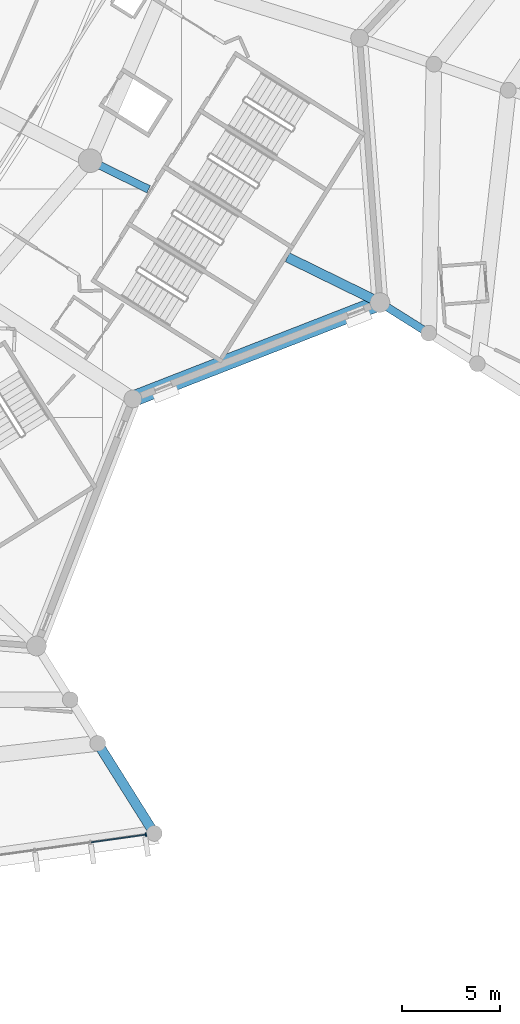
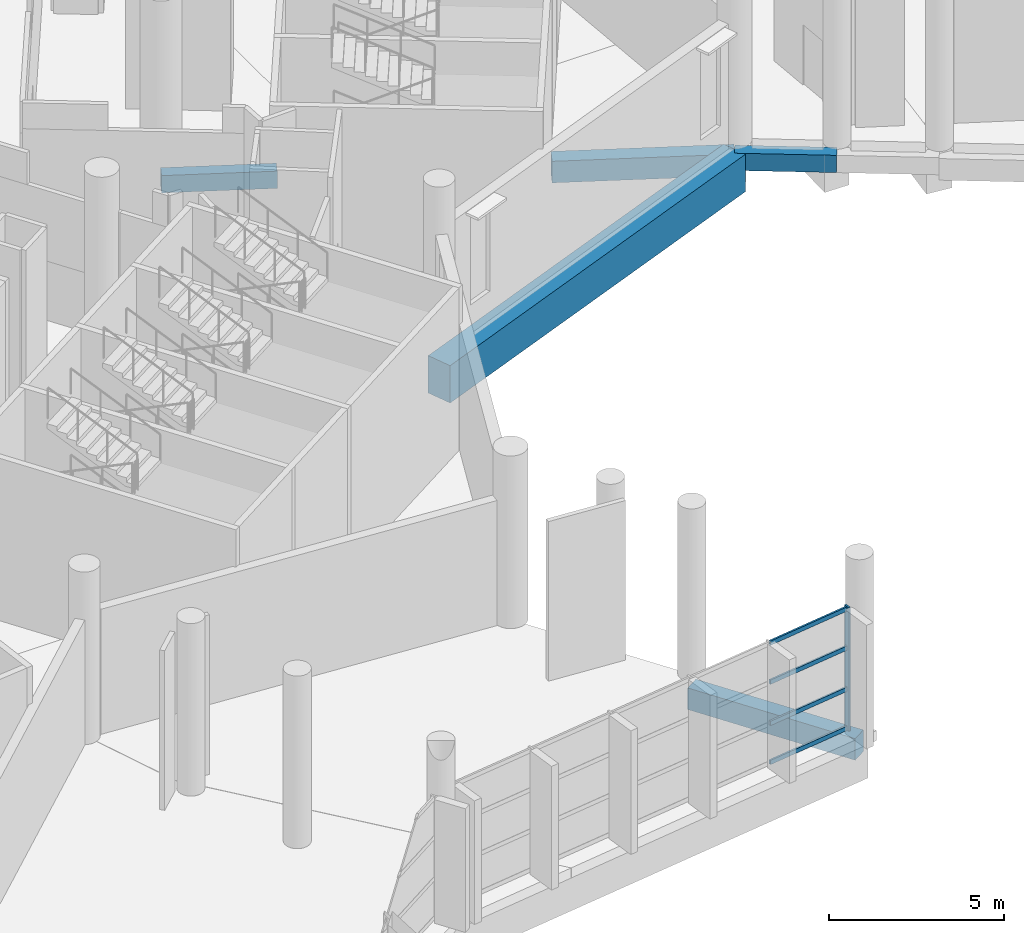
# One storey, part 38 of 249: 5 beams, 5 members, 1 element without a shape of its own.
"""IFC4 building model written with IfcOpenShell, lengths in metres."""

from ifc_helpers import new_model, si_unit, direction, frame, origin, origin_2d, place, context, subcontext, project, spatial, rectangle, extrude, material, layer, layer_set, material_profile, profile_set, type_object, element, aggregate, save


model = new_model("IFC4")

# Units and contexts
model_context = context("Model", 3, precision=1e-05, world=origin(), true_north=direction((0.0, 1.0)))
body_context = subcontext(model_context, "Body", "Model", "MODEL_VIEW")
ifc_project = project(units=[si_unit("LENGTHUNIT", "METRE"), si_unit("AREAUNIT", "SQUARE_METRE"), si_unit("VOLUMEUNIT", "CUBIC_METRE"), si_unit("PLANEANGLEUNIT", "RADIAN"), si_unit("MASSUNIT", "GRAM", prefix="KILO")], contexts=[model_context])

# Site, building, storey
site_placement = place(None, origin())
site = spatial("IfcSite", under=ifc_project, at=site_placement, CompositionType="ELEMENT")
building_placement = place(site_placement, origin())
building = spatial("IfcBuilding", under=site, at=building_placement, Name="Meseta Stadium", CompositionType="ELEMENT")
storey_placement = place(building_placement, frame((0.0, 0.0, 12.0)))
storey = spatial("IfcBuildingStorey", under=building, at=storey_placement, Name="L02", CompositionType="ELEMENT", Elevation=12.0)

# Beams
ifc_material_1 = material(Name="Concrete C40/50", Category="concrete")
ifc_material_profile_1 = material_profile(ifc_material_1, rectangle(XDim=0.39990234375, YDim=0.60009765625, at=origin_2d()), Name="RC 400x600")
ifc_profile_set_1 = profile_set([ifc_material_profile_1], Name="Concrete C40/50")
beam_type_1 = type_object("IfcBeamType", Name="RC beam 400x600", PredefinedType="BEAM", material=ifc_profile_set_1)
beam_1_placement = place(storey_placement, frame((78.197998046875, -72.27197265625, -0.64990234375), z_axis=(0.898132346212, -0.439725242267, 0.0), x_axis=(0.439725242267, 0.898132346212, 0.0)))
element("IfcBeam", 1, at=beam_1_placement, inside=storey, type_object=beam_type_1, Name="L02 radial beam frame 54 line P to R", PredefinedType="BEAM", context=body_context, shape_type="SweptSolid", body=[
    extrude(rectangle(XDim=0.39990234375, YDim=0.60009765625, at=origin_2d()), origin(), (0.0, 0.0, 1.0), 3.306396484375),
])
beam_2_placement = place(storey_placement, frame((92.908447265625, -79.474609375, -0.64990234375), z_axis=(0.846736663206, -0.532012239693, 0.0), x_axis=(0.532012239693, 0.846736663206, 0.0)))
element("IfcBeam", 2, at=beam_2_placement, inside=storey, type_object=beam_type_1, Name="L02 radial beam frame 54 line R to M", PredefinedType="BEAM", context=body_context, shape_type="SweptSolid", body=[
    extrude(rectangle(XDim=0.39990234375, YDim=0.60009765625, at=origin_2d()), origin(), (0.0, 0.0, 1.0), 2.9189453125),
])
ifc_material_2 = material(Name="Concrete C40/50", Category="concrete")
ifc_material_profile_2 = material_profile(ifc_material_2, rectangle(XDim=0.5, YDim=0.75, at=origin_2d()), Name="RC 500x750")
ifc_profile_set_2 = profile_set([ifc_material_profile_2], Name="Concrete C40/50")
beam_type_2 = type_object("IfcBeamType", Name="RC beam 500x750", PredefinedType="BEAM", material=ifc_profile_set_2)
beam_3_placement = place(storey_placement, frame((88.212158203125, -77.175048828125, -0.72509765625), z_axis=(0.898112763243, -0.439765237939, 0.0), x_axis=(0.439765237939, 0.898112763243, 0.0)))
element("IfcBeam", 3, at=beam_3_placement, inside=storey, type_object=beam_type_2, Name="L02 radial beam frame 54 line P to R", PredefinedType="BEAM", context=body_context, shape_type="SweptSolid", body=[
    extrude(rectangle(XDim=0.5, YDim=0.75, at=origin_2d()), origin(), (0.0, 0.0, 1.0), 5.22900390625),
])
beam_4_placement = place(storey_placement, frame((78.580810546875, -101.851806640625, -0.72509765625), z_axis=(0.531992833871, -0.846748855747, 0.0), x_axis=(0.846748855747, 0.531992833871, 0.0)))
element("IfcBeam", 4, at=beam_4_placement, inside=storey, type_object=beam_type_2, Name="L02 radial beam frame 52 line Q to O", PredefinedType="BEAM", context=body_context, shape_type="SweptSolid", body=[
    extrude(rectangle(XDim=0.5, YDim=0.75, at=origin_2d()), origin(), (0.0, 0.0, 1.0), 5.400146484375),
])
ifc_material_3 = material(Name="Concrete C40/50", Category="concrete")
ifc_material_profile_3 = material_profile(ifc_material_3, rectangle(XDim=0.800048828125, YDim=1.300048828125, at=origin_2d()), Name="RC 800x1300")
ifc_profile_set_3 = profile_set([ifc_material_profile_3], Name="Concrete C40/50")
beam_type_3 = type_object("IfcBeamType", Name="RC beam 800x1300", PredefinedType="BEAM", material=ifc_profile_set_3)
beam_5_placement = place(storey_placement, frame((80.365478515625, -84.365478515625, -1.0), z_axis=(0.93167689837, 0.363287980868, 0.0), x_axis=(-0.363287980868, 0.93167689837, 0.0)))
element("IfcBeam", 5, at=beam_5_placement, inside=storey, type_object=beam_type_3, Name="L02 ring beam frame 53 line R", PredefinedType="BEAM", context=body_context, shape_type="SweptSolid", body=[
    extrude(rectangle(XDim=0.800048828125, YDim=1.300048828125, at=origin_2d()), origin(), (0.0, 0.0, 1.0), 13.462890625),
])

# Curtain wall, members
ifc_material_4 = material(Name="Aluminium", Category="aluminium")
ifc_layer = layer(ifc_material_4, 0.199951171875)
ifc_layer_set = layer_set([ifc_layer], Name="Ring shopfront curtain wall")
curtain_wall_type = type_object("IfcCurtainWallType", Name="Ring shopfront curtain wall", PredefinedType="NOTDEFINED", material=ifc_layer_set)
curtain_wall_placement = place(storey_placement, origin())
curtain_wall = element("IfcCurtainWall", 6, at=curtain_wall_placement, inside=storey, type_object=curtain_wall_type, Name="Ring glazing L02 F51", PredefinedType="NOTDEFINED")
ifc_material_5 = material(Name="Aluminium", Category="aluminium")
ifc_material_profile_4 = material_profile(ifc_material_5, rectangle(XDim=0.199951171875, YDim=0.06005859375, at=origin_2d()), Name="CW 200x60")
ifc_profile_set_4 = profile_set([ifc_material_profile_4], Name="Aluminium")
member_type_1 = type_object("IfcMemberType", Name="Ring CW mullion 60x200", PredefinedType="MULLION", material=ifc_profile_set_4)
member_1_placement = place(storey_placement, frame((81.02783203125, -106.483642578125, 0.0), z_axis=(0.0, 0.0, 1.0), x_axis=(-0.13864277713, 0.990342456098, 0.0)))
member_1 = element("IfcMember", 7, at=member_1_placement, type_object=member_type_1, Name="CWR1 mullion 6", PredefinedType="MULLION", context=body_context, shape_type="SweptSolid", body=[
    extrude(rectangle(XDim=0.199951171875, YDim=0.06005859375, at=origin_2d()), origin(), (0.0, 0.0, 1.0), 4.300048828125),
])
ifc_material_6 = material(Name="Aluminium", Category="aluminium")
ifc_material_profile_5 = material_profile(ifc_material_6, rectangle(XDim=0.06005859375, YDim=0.14990234375, at=origin_2d()), Name="CW 60x150")
ifc_profile_set_5 = profile_set([ifc_material_profile_5], Name="Aluminium")
member_type_2 = type_object("IfcMemberType", Name="Ring CW transom 60x150", PredefinedType="USERDEFINED", material=ifc_profile_set_5)
member_2_placement = place(storey_placement, frame((78.25048828125, -106.87255859375, 0.074951171875), z_axis=(0.990348512046, 0.13859951186, 0.0), x_axis=(-0.13859951186, 0.990348512046, 0.0)))
member_2 = element("IfcMember", 8, at=member_2_placement, type_object=member_type_2, Name="CWR1 transom 5.1", ObjectType="TRANSOM", PredefinedType="USERDEFINED", context=body_context, shape_type="SweptSolid", body=[
    extrude(rectangle(XDim=0.06005859375, YDim=0.14990234375, at=origin_2d()), origin(), (0.0, 0.0, 1.0), 2.7744140625),
])
member_3_placement = place(storey_placement, frame((78.25048828125, -106.87255859375, 1.433349609375), z_axis=(0.990348512046, 0.13859951186, 0.0), x_axis=(-0.13859951186, 0.990348512046, 0.0)))
member_3 = element("IfcMember", 9, at=member_3_placement, type_object=member_type_2, Name="CWR1 transom 5.2", ObjectType="TRANSOM", PredefinedType="USERDEFINED", context=body_context, shape_type="SweptSolid", body=[
    extrude(rectangle(XDim=0.06005859375, YDim=0.14990234375, at=origin_2d()), origin(), (0.0, 0.0, 1.0), 2.7744140625),
])
member_4_placement = place(storey_placement, frame((78.25048828125, -106.87255859375, 2.86669921875), z_axis=(0.990348512046, 0.13859951186, 0.0), x_axis=(-0.13859951186, 0.990348512046, 0.0)))
member_4 = element("IfcMember", 10, at=member_4_placement, type_object=member_type_2, Name="CWR1 transom 5.3", ObjectType="TRANSOM", PredefinedType="USERDEFINED", context=body_context, shape_type="SweptSolid", body=[
    extrude(rectangle(XDim=0.06005859375, YDim=0.14990234375, at=origin_2d()), origin(), (0.0, 0.0, 1.0), 2.7744140625),
])
member_5_placement = place(storey_placement, frame((78.25048828125, -106.87255859375, 4.22509765625), z_axis=(0.990348512046, 0.13859951186, 0.0), x_axis=(-0.13859951186, 0.990348512046, 0.0)))
member_5 = element("IfcMember", 11, at=member_5_placement, type_object=member_type_2, Name="CWR1 transom 5.4", ObjectType="TRANSOM", PredefinedType="USERDEFINED", context=body_context, shape_type="SweptSolid", body=[
    extrude(rectangle(XDim=0.06005859375, YDim=0.14990234375, at=origin_2d()), origin(), (0.0, 0.0, 1.0), 2.7744140625),
])
aggregate(curtain_wall, [member_1, member_2, member_3, member_4, member_5])

save(model, "model.ifc")
